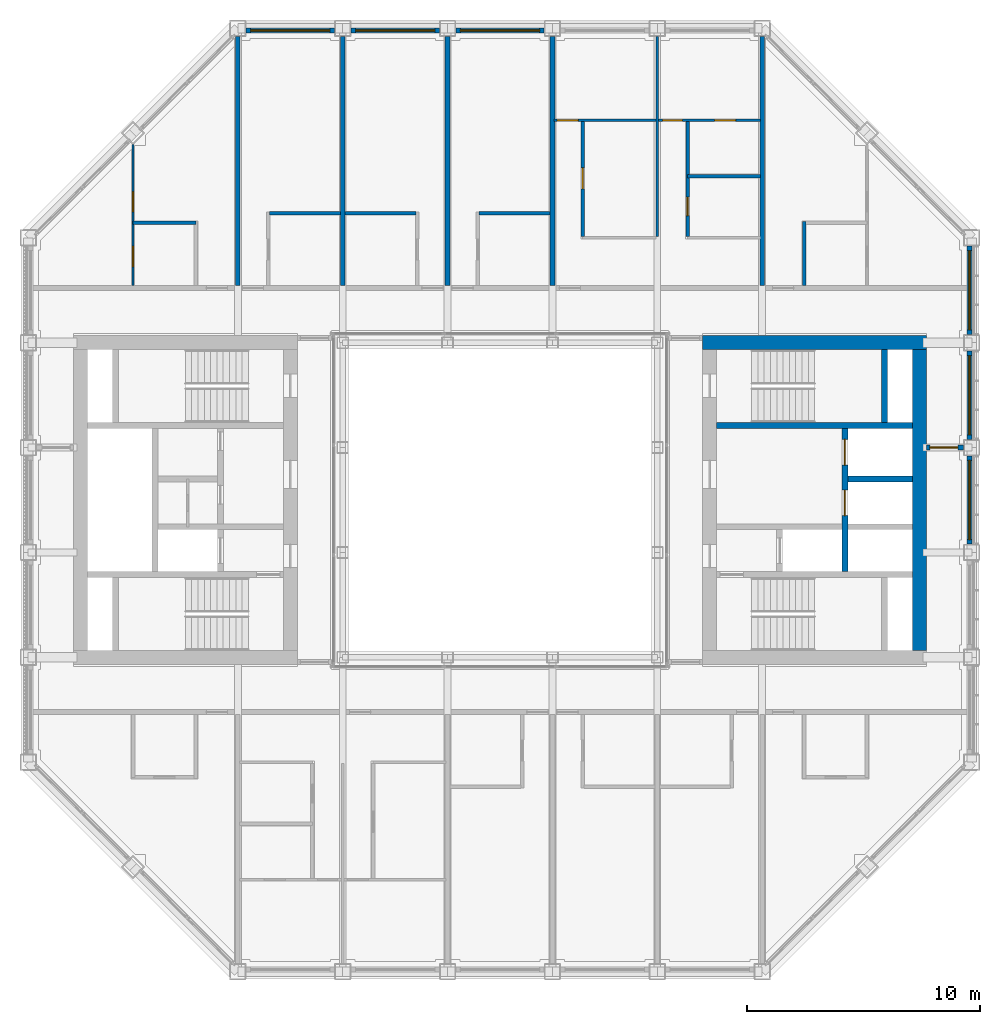
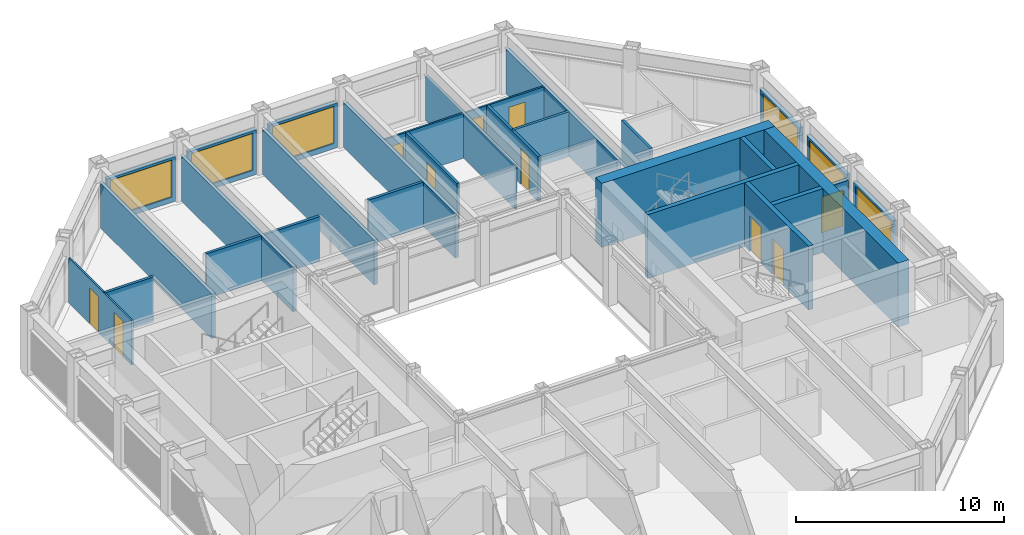
# One storey, part 12 of 18: 30 walls, 10 doors, 6 windows, 16 openings.
"""IFC4 building model written with IfcOpenShell, lengths in metres."""

from ifc_helpers import new_model, si_unit, direction, frame, frame_2d, origin, place, context, subcontext, project, spatial, rectangle, extrude, material, layer, layer_set, type_object, element, fill, save


model = new_model("IFC4")

# Units and contexts
model_context = context("Model", 3, precision=1e-05, world=origin(), true_north=direction((0.0, 1.0)))
body_context = subcontext(model_context, "Body", "Model", "MODEL_VIEW")
ifc_project = project(units=[si_unit("LENGTHUNIT", "METRE"), si_unit("AREAUNIT", "SQUARE_METRE"), si_unit("VOLUMEUNIT", "CUBIC_METRE"), si_unit("PLANEANGLEUNIT", "RADIAN"), si_unit("MASSUNIT", "GRAM", prefix="KILO")], contexts=[model_context])

# Site, building, storey
site_placement = place(None, origin())
site = spatial("IfcSite", under=ifc_project, at=site_placement, CompositionType="ELEMENT")
building_placement = place(site_placement, origin())
building = spatial("IfcBuilding", under=site, at=building_placement, Name="Msasa Ring Tower", CompositionType="ELEMENT")
storey_placement = place(building_placement, frame((0.0, 0.0, 230.800048828125)))
storey = spatial("IfcBuildingStorey", under=building, at=storey_placement, Name="L60", CompositionType="ELEMENT", Elevation=230.800048828125)

# Walls
ifc_material_1 = material(Name="Concrete C60/75", Category="concrete")
ifc_layer_1 = layer(ifc_material_1, 0.60009765625)
ifc_layer_set_1 = layer_set([ifc_layer_1], Name="CW3 CORE WALL 600")
wall_type_1 = type_object("IfcWallType", Name="CW3 CORE WALL 600", PredefinedType="SHEAR", material=ifc_layer_set_1)
wall_1_placement = place(storey_placement, frame((8.699951171875, 6.75, 0.0), z_axis=(0.0, 0.0, 1.0), x_axis=(1.0, 0.0, 0.0)))
element("IfcWall", 1, at=wall_1_placement, inside=storey, type_object=wall_type_1, Name="E core wall N L60", PredefinedType="SHEAR", context=body_context, shape_type="SweptSolid", body=[
    extrude(rectangle(XDim=9.60009765625, YDim=0.60009765625, at=frame_2d((4.800048828125, 0.0))), origin(), (0.0, 0.0, 1.0), 3.75),
])
wall_2_placement = place(storey_placement, frame((18.0, -6.449951171875, 0.0), z_axis=(0.0, 0.0, 1.0), x_axis=(0.0, 1.0, 0.0)))
element("IfcWall", 2, at=wall_2_placement, inside=storey, type_object=wall_type_1, Name="E core wall E L60", PredefinedType="SHEAR", context=body_context, shape_type="SweptSolid", body=[
    extrude(rectangle(XDim=12.89990234375, YDim=0.60009765625, at=frame_2d((6.449951171875, 0.0))), origin(), (0.0, 0.0, 1.0), 3.75),
])
ifc_material_2 = material(Name="Concrete C60/75", Category="concrete")
ifc_layer_2 = layer(ifc_material_2, 0.25)
ifc_layer_set_2 = layer_set([ifc_layer_2], Name="CW4 CORE INNER WALL 250")
wall_type_2 = type_object("IfcWallType", Name="CW4 CORE INNER WALL 250", PredefinedType="SHEAR", material=ifc_layer_set_2)
wall_3_placement = place(storey_placement, frame((9.300048828125, 3.199951171875, 0.0), z_axis=(0.0, 0.0, 1.0), x_axis=(1.0, 0.0, 0.0)))
element("IfcWall", 3, at=wall_3_placement, inside=storey, type_object=wall_type_2, Name="E core wall STAIRB L60", PredefinedType="SHEAR", context=body_context, shape_type="SweptSolid", body=[
    extrude(rectangle(XDim=8.39990234375, YDim=0.25, at=frame_2d((4.199951171875, 0.0))), origin(), (0.0, 0.0, 1.0), 3.75),
])
wall_4_placement = place(storey_placement, frame((16.5, 3.324951171875, 0.0), z_axis=(0.0, 0.0, 1.0), x_axis=(0.0, 1.0, 0.0)))
element("IfcWall", 4, at=wall_4_placement, inside=storey, type_object=wall_type_2, Name="E core wall RISERB L60", PredefinedType="SHEAR", context=body_context, shape_type="SweptSolid", body=[
    extrude(rectangle(XDim=3.125, YDim=0.25, at=frame_2d((1.5625, 0.0))), origin(), (0.0, 0.0, 1.0), 3.75),
])

# Wall, openings, doors
wall_5_placement = place(storey_placement, frame((14.800048828125, -3.074951171875, 0.0), z_axis=(0.0, 0.0, 1.0), x_axis=(0.0, 1.0, 0.0)))
wall_5 = element("IfcWall", 5, at=wall_5_placement, inside=storey, type_object=wall_type_2, Name="E core wall SHAFT L60", PredefinedType="SHEAR", context=body_context, shape_type="SweptSolid", body=[
    extrude(rectangle(XDim=6.14990234375, YDim=0.25, at=frame_2d((3.074951171875, 0.0))), origin(), (0.0, 0.0, 1.0), 3.75),
])
opening_1_placement = place(wall_5_placement, frame((2.39990234375, 0.0, 0.0)))
opening_1 = element("IfcOpeningElement", 6, at=opening_1_placement, cuts=wall_5, Name="Opening LD1", PredefinedType="OPENING", context=body_context, shape_type="SweptSolid", body=[
    extrude(rectangle(XDim=1.10009765625, YDim=2.10009765625, at=frame_2d((0.550048828125, 1.050048828125))), frame((0.0, 0.135009765625, 0.0), z_axis=(0.0, -1.0, 0.0), x_axis=(1.0, 0.0, 0.0)), (0.0, 0.0, 1.0), 0.27001953125),
])
opening_2_placement = place(wall_5_placement, frame((4.574951171875, 0.0, 0.0)))
opening_2 = element("IfcOpeningElement", 7, at=opening_2_placement, cuts=wall_5, Name="Opening LD1", PredefinedType="OPENING", context=body_context, shape_type="SweptSolid", body=[
    extrude(rectangle(XDim=1.10009765625, YDim=2.10009765625, at=frame_2d((0.550048828125, 1.050048828125))), frame((0.0, 0.135009765625, 0.0), z_axis=(0.0, -1.0, 0.0), x_axis=(1.0, 0.0, 0.0)), (0.0, 0.0, 1.0), 0.27001953125),
])
ifc_material_3 = material(Name="Stainless steel lift landing door", Category="steel")
door_type_1 = type_object("IfcDoorType", Name="LD1 LIFT LANDING DOOR 1100x2100", OperationType="DOUBLE_DOOR_SLIDING", PredefinedType="DOOR", material=ifc_material_3)
door_1_placement = place(opening_1_placement, origin())
door_1 = element("IfcDoor", 8, at=door_1_placement, inside=storey, type_object=door_type_1, Name="Lift landing door PL-H1 L60", OperationType="DOUBLE_DOOR_SLIDING", OverallHeight=2.10009765625, OverallWidth=1.10009765625, PredefinedType="DOOR", context=body_context, shape_type="SweptSolid", body=[
    extrude(rectangle(XDim=1.10009765625, YDim=2.10009765625, at=frame_2d((0.550048828125, 1.050048828125))), frame((0.0, 0.02490234375, 0.0), z_axis=(0.0, -1.0, 0.0), x_axis=(1.0, 0.0, 0.0)), (0.0, 0.0, 1.0), 0.050048828125),
])
fill(opening_1, door_1)
door_2_placement = place(opening_2_placement, origin())
door_2 = element("IfcDoor", 9, at=door_2_placement, inside=storey, type_object=door_type_1, Name="Lift landing door PL-H2 L60", OperationType="DOUBLE_DOOR_SLIDING", OverallHeight=2.10009765625, OverallWidth=1.10009765625, PredefinedType="DOOR", context=body_context, shape_type="SweptSolid", body=[
    extrude(rectangle(XDim=1.10009765625, YDim=2.10009765625, at=frame_2d((0.550048828125, 1.050048828125))), frame((0.0, 0.02490234375, 0.0), z_axis=(0.0, -1.0, 0.0), x_axis=(1.0, 0.0, 0.0)), (0.0, 0.0, 1.0), 0.050048828125),
])
fill(opening_2, door_2)

# Wall
wall_6_placement = place(storey_placement, frame((14.925048828125, 0.89990234375, 0.0), z_axis=(0.0, 0.0, 1.0), x_axis=(1.0, 0.0, 0.0)))
element("IfcWall", 10, at=wall_6_placement, inside=storey, type_object=wall_type_2, Name="E core wall HLIFT L60", PredefinedType="SHEAR", context=body_context, shape_type="SweptSolid", body=[
    extrude(rectangle(XDim=2.77490234375, YDim=0.25, at=frame_2d((1.387451171875, 0.0))), origin(), (0.0, 0.0, 1.0), 3.75),
])

# Wall, opening, window
ifc_material_4 = material(Name="Terracotta rainscreen on blockwork", Category="masonry")
ifc_layer_3 = layer(ifc_material_4, 0.199951171875)
ifc_layer_set_3 = layer_set([ifc_layer_3], Name="FW1 TERRACOTTA-LINED INFILL BAY WALL 200")
wall_type_3 = type_object("IfcWallType", Name="FW1 TERRACOTTA-LINED INFILL BAY WALL 200", PredefinedType="SOLIDWALL", material=ifc_layer_set_3)
wall_7_placement = place(storey_placement, frame((20.14990234375, -1.89501953125, 0.0), z_axis=(0.0, 0.0, 1.0), x_axis=(0.0, 1.0, 0.0)))
wall_7 = element("IfcWall", 11, at=wall_7_placement, inside=storey, type_object=wall_type_3, Name="Infill bay wall E L60 09", PredefinedType="SOLIDWALL", context=body_context, shape_type="SweptSolid", body=[
    extrude(rectangle(XDim=3.7900390625, YDim=0.199951171875, at=frame_2d((1.89501953125, 0.0))), origin(), (0.0, 0.0, 1.0), 2.62890625),
])
opening_3_placement = place(wall_7_placement, frame((0.195068359375, 0.0, 0.300048828125)))
opening_3 = element("IfcOpeningElement", 12, at=opening_3_placement, cuts=wall_7, Name="Opening WN3", PredefinedType="OPENING", context=body_context, shape_type="SweptSolid", body=[
    extrude(rectangle(XDim=3.39990234375, YDim=2.178955078125, at=frame_2d((1.699951171875, 1.08935546875))), frame((0.0, 0.10986328125, 0.0), z_axis=(0.0, -1.0, 0.0), x_axis=(1.0, 0.0, 0.0)), (0.0, 0.0, 1.0), 0.219970703125),
])
ifc_material_5 = material(Name="Aluminium frame with clear glass", Category="aluminium")
window_type = type_object("IfcWindowType", Name="WN3 SUITE WINDOW 3400x2179", PartitioningType="SINGLE_PANEL", PredefinedType="WINDOW", material=ifc_material_5)
window_1_placement = place(opening_3_placement, origin())
window_1 = element("IfcWindow", 13, at=window_1_placement, inside=storey, type_object=window_type, Name="Window E L60 09", OverallHeight=2.178955078125, OverallWidth=3.39990234375, PartitioningType="SINGLE_PANEL", PredefinedType="WINDOW", context=body_context, shape_type="SweptSolid", body=[
    extrude(rectangle(XDim=3.39990234375, YDim=2.178955078125, at=frame_2d((1.699951171875, 1.08935546875))), frame((0.0, 0.030029296875, 0.0), z_axis=(0.0, -1.0, 0.0), x_axis=(1.0, 0.0, 0.0)), (0.0, 0.0, 1.0), 0.06005859375),
])
fill(opening_3, window_1)

wall_8_placement = place(storey_placement, frame((20.14990234375, 2.60498046875, 0.0), z_axis=(0.0, 0.0, 1.0), x_axis=(0.0, 1.0, 0.0)))
wall_8 = element("IfcWall", 14, at=wall_8_placement, inside=storey, type_object=wall_type_3, Name="Infill bay wall E L60 10", PredefinedType="SOLIDWALL", context=body_context, shape_type="SweptSolid", body=[
    extrude(rectangle(XDim=3.7900390625, YDim=0.199951171875, at=frame_2d((1.89501953125, 0.0))), origin(), (0.0, 0.0, 1.0), 2.62890625),
])
opening_4_placement = place(wall_8_placement, frame((0.195068359375, 0.0, 0.300048828125)))
opening_4 = element("IfcOpeningElement", 15, at=opening_4_placement, cuts=wall_8, Name="Opening WN3", PredefinedType="OPENING", context=body_context, shape_type="SweptSolid", body=[
    extrude(rectangle(XDim=3.39990234375, YDim=2.178955078125, at=frame_2d((1.699951171875, 1.08935546875))), frame((0.0, 0.10986328125, 0.0), z_axis=(0.0, -1.0, 0.0), x_axis=(1.0, 0.0, 0.0)), (0.0, 0.0, 1.0), 0.219970703125),
])
window_2_placement = place(opening_4_placement, origin())
window_2 = element("IfcWindow", 16, at=window_2_placement, inside=storey, type_object=window_type, Name="Window E L60 10", OverallHeight=2.178955078125, OverallWidth=3.39990234375, PartitioningType="SINGLE_PANEL", PredefinedType="WINDOW", context=body_context, shape_type="SweptSolid", body=[
    extrude(rectangle(XDim=3.39990234375, YDim=2.178955078125, at=frame_2d((1.699951171875, 1.08935546875))), frame((0.0, 0.030029296875, 0.0), z_axis=(0.0, -1.0, 0.0), x_axis=(1.0, 0.0, 0.0)), (0.0, 0.0, 1.0), 0.06005859375),
])
fill(opening_4, window_2)

wall_9_placement = place(storey_placement, frame((20.14990234375, 7.10498046875, 0.0), z_axis=(0.0, 0.0, 1.0), x_axis=(0.0, 1.0, 0.0)))
wall_9 = element("IfcWall", 17, at=wall_9_placement, inside=storey, type_object=wall_type_3, Name="Infill bay wall E L60 11", PredefinedType="SOLIDWALL", context=body_context, shape_type="SweptSolid", body=[
    extrude(rectangle(XDim=3.7900390625, YDim=0.199951171875, at=frame_2d((1.89501953125, 0.0))), origin(), (0.0, 0.0, 1.0), 2.62890625),
])
opening_5_placement = place(wall_9_placement, frame((0.195068359375, 0.0, 0.300048828125)))
opening_5 = element("IfcOpeningElement", 18, at=opening_5_placement, cuts=wall_9, Name="Opening WN3", PredefinedType="OPENING", context=body_context, shape_type="SweptSolid", body=[
    extrude(rectangle(XDim=3.39990234375, YDim=2.178955078125, at=frame_2d((1.699951171875, 1.08935546875))), frame((0.0, 0.10986328125, 0.0), z_axis=(0.0, -1.0, 0.0), x_axis=(1.0, 0.0, 0.0)), (0.0, 0.0, 1.0), 0.219970703125),
])
window_3_placement = place(opening_5_placement, origin())
window_3 = element("IfcWindow", 19, at=window_3_placement, inside=storey, type_object=window_type, Name="Window E L60 11", OverallHeight=2.178955078125, OverallWidth=3.39990234375, PartitioningType="SINGLE_PANEL", PredefinedType="WINDOW", context=body_context, shape_type="SweptSolid", body=[
    extrude(rectangle(XDim=3.39990234375, YDim=2.178955078125, at=frame_2d((1.699951171875, 1.08935546875))), frame((0.0, 0.030029296875, 0.0), z_axis=(0.0, -1.0, 0.0), x_axis=(1.0, 0.0, 0.0)), (0.0, 0.0, 1.0), 0.06005859375),
])
fill(opening_5, window_3)

wall_10_placement = place(storey_placement, frame((-10.89501953125, 20.14990234375, 0.0), z_axis=(0.0, 0.0, 1.0), x_axis=(1.0, 0.0, 0.0)))
wall_10 = element("IfcWall", 20, at=wall_10_placement, inside=storey, type_object=wall_type_3, Name="Infill bay wall N L60 14", PredefinedType="SOLIDWALL", context=body_context, shape_type="SweptSolid", body=[
    extrude(rectangle(XDim=3.7900390625, YDim=0.199951171875, at=frame_2d((1.89501953125, 0.0))), origin(), (0.0, 0.0, 1.0), 2.62890625),
])
opening_6_placement = place(wall_10_placement, frame((0.195068359375, 0.0, 0.300048828125)))
opening_6 = element("IfcOpeningElement", 21, at=opening_6_placement, cuts=wall_10, Name="Opening WN3", PredefinedType="OPENING", context=body_context, shape_type="SweptSolid", body=[
    extrude(rectangle(XDim=3.39990234375, YDim=2.178955078125, at=frame_2d((1.699951171875, 1.08935546875))), frame((0.0, 0.10986328125, 0.0), z_axis=(0.0, -1.0, 0.0), x_axis=(1.0, 0.0, 0.0)), (0.0, 0.0, 1.0), 0.219970703125),
])
window_4_placement = place(opening_6_placement, origin())
window_4 = element("IfcWindow", 22, at=window_4_placement, inside=storey, type_object=window_type, Name="Window N L60 14", OverallHeight=2.178955078125, OverallWidth=3.39990234375, PartitioningType="SINGLE_PANEL", PredefinedType="WINDOW", context=body_context, shape_type="SweptSolid", body=[
    extrude(rectangle(XDim=3.39990234375, YDim=2.178955078125, at=frame_2d((1.699951171875, 1.08935546875))), frame((0.0, 0.030029296875, 0.0), z_axis=(0.0, -1.0, 0.0), x_axis=(1.0, 0.0, 0.0)), (0.0, 0.0, 1.0), 0.06005859375),
])
fill(opening_6, window_4)

wall_11_placement = place(storey_placement, frame((-6.39501953125, 20.14990234375, 0.0), z_axis=(0.0, 0.0, 1.0), x_axis=(1.0, 0.0, 0.0)))
wall_11 = element("IfcWall", 23, at=wall_11_placement, inside=storey, type_object=wall_type_3, Name="Infill bay wall N L60 15", PredefinedType="SOLIDWALL", context=body_context, shape_type="SweptSolid", body=[
    extrude(rectangle(XDim=3.7900390625, YDim=0.199951171875, at=frame_2d((1.89501953125, 0.0))), origin(), (0.0, 0.0, 1.0), 2.62890625),
])
opening_7_placement = place(wall_11_placement, frame((0.195068359375, 0.0, 0.300048828125)))
opening_7 = element("IfcOpeningElement", 24, at=opening_7_placement, cuts=wall_11, Name="Opening WN3", PredefinedType="OPENING", context=body_context, shape_type="SweptSolid", body=[
    extrude(rectangle(XDim=3.39990234375, YDim=2.178955078125, at=frame_2d((1.699951171875, 1.08935546875))), frame((0.0, 0.10986328125, 0.0), z_axis=(0.0, -1.0, 0.0), x_axis=(1.0, 0.0, 0.0)), (0.0, 0.0, 1.0), 0.219970703125),
])
window_5_placement = place(opening_7_placement, origin())
window_5 = element("IfcWindow", 25, at=window_5_placement, inside=storey, type_object=window_type, Name="Window N L60 15", OverallHeight=2.178955078125, OverallWidth=3.39990234375, PartitioningType="SINGLE_PANEL", PredefinedType="WINDOW", context=body_context, shape_type="SweptSolid", body=[
    extrude(rectangle(XDim=3.39990234375, YDim=2.178955078125, at=frame_2d((1.699951171875, 1.08935546875))), frame((0.0, 0.030029296875, 0.0), z_axis=(0.0, -1.0, 0.0), x_axis=(1.0, 0.0, 0.0)), (0.0, 0.0, 1.0), 0.06005859375),
])
fill(opening_7, window_5)

wall_12_placement = place(storey_placement, frame((-1.89501953125, 20.14990234375, 0.0), z_axis=(0.0, 0.0, 1.0), x_axis=(1.0, 0.0, 0.0)))
wall_12 = element("IfcWall", 26, at=wall_12_placement, inside=storey, type_object=wall_type_3, Name="Infill bay wall N L60 16", PredefinedType="SOLIDWALL", context=body_context, shape_type="SweptSolid", body=[
    extrude(rectangle(XDim=3.7900390625, YDim=0.199951171875, at=frame_2d((1.89501953125, 0.0))), origin(), (0.0, 0.0, 1.0), 2.62890625),
])
opening_8_placement = place(wall_12_placement, frame((0.195068359375, 0.0, 0.300048828125)))
opening_8 = element("IfcOpeningElement", 27, at=opening_8_placement, cuts=wall_12, Name="Opening WN3", PredefinedType="OPENING", context=body_context, shape_type="SweptSolid", body=[
    extrude(rectangle(XDim=3.39990234375, YDim=2.178955078125, at=frame_2d((1.699951171875, 1.08935546875))), frame((0.0, 0.10986328125, 0.0), z_axis=(0.0, -1.0, 0.0), x_axis=(1.0, 0.0, 0.0)), (0.0, 0.0, 1.0), 0.219970703125),
])
window_6_placement = place(opening_8_placement, origin())
window_6 = element("IfcWindow", 28, at=window_6_placement, inside=storey, type_object=window_type, Name="Window N L60 16", OverallHeight=2.178955078125, OverallWidth=3.39990234375, PartitioningType="SINGLE_PANEL", PredefinedType="WINDOW", context=body_context, shape_type="SweptSolid", body=[
    extrude(rectangle(XDim=3.39990234375, YDim=2.178955078125, at=frame_2d((1.699951171875, 1.08935546875))), frame((0.0, 0.030029296875, 0.0), z_axis=(0.0, -1.0, 0.0), x_axis=(1.0, 0.0, 0.0)), (0.0, 0.0, 1.0), 0.06005859375),
])
fill(opening_8, window_6)

# Wall, opening, door
ifc_material_6 = material(Name="Concrete blockwork", Category="masonry")
ifc_layer_4 = layer(ifc_material_6, 0.199951171875)
ifc_layer_set_4 = layer_set([ifc_layer_4], Name="PT1 CORRIDOR WALL 200")
wall_type_4 = type_object("IfcWallType", Name="PT1 CORRIDOR WALL 200", PredefinedType="PARTITIONING", material=ifc_layer_set_4)
wall_13_placement = place(storey_placement, frame((18.300048828125, 2.25, 0.0), z_axis=(0.0, 0.0, 1.0), x_axis=(1.0, 0.0, 0.0)))
wall_13 = element("IfcWall", 29, at=wall_13_placement, inside=storey, type_object=wall_type_4, Name="Corridor wall L60-WSE", PredefinedType="PARTITIONING", context=body_context, shape_type="SweptSolid", body=[
    extrude(rectangle(XDim=1.599853515625, YDim=0.199951171875, at=frame_2d((0.7998046875, 0.0))), origin(), (0.0, 0.0, 1.0), 2.62890625),
])
opening_9_placement = place(wall_13_placement, frame((0.14990234375, 0.0, 0.0)))
opening_9 = element("IfcOpeningElement", 30, at=opening_9_placement, cuts=wall_13, Name="Opening SC-025", PredefinedType="OPENING", context=body_context, shape_type="SweptSolid", body=[
    extrude(rectangle(XDim=1.199951171875, YDim=2.10009765625, at=frame_2d((0.60009765625, 1.050048828125))), frame((0.0, 0.10986328125, 0.0), z_axis=(0.0, -1.0, 0.0), x_axis=(1.0, 0.0, 0.0)), (0.0, 0.0, 1.0), 0.219970703125),
])
ifc_material_7 = material(Name="Timber door leaf in a steel frame", Category="steel")
door_type_2 = type_object("IfcDoorType", Name="D25 CORRIDOR PAIR OF SMOKE DOORS 1200x2100", OperationType="DOUBLE_DOOR_DOUBLE_SWING", PredefinedType="DOOR", material=ifc_material_7)
door_3_placement = place(opening_9_placement, origin())
door_3 = element("IfcDoor", 31, at=door_3_placement, inside=storey, type_object=door_type_2, Name="Door L60-WSE", OperationType="DOUBLE_DOOR_DOUBLE_SWING", OverallHeight=2.10009765625, OverallWidth=1.199951171875, PredefinedType="DOOR", context=body_context, shape_type="SweptSolid", body=[
    extrude(rectangle(XDim=1.199951171875, YDim=2.10009765625, at=frame_2d((0.60009765625, 1.050048828125))), frame((0.0, 0.02490234375, 0.0), z_axis=(0.0, -1.0, 0.0), x_axis=(1.0, 0.0, 0.0)), (0.0, 0.0, 1.0), 0.050048828125),
])
fill(opening_9, door_3)

ifc_material_8 = material(Name="Gypsum board on steel studs", Category="steel")
ifc_layer_5 = layer(ifc_material_8, 0.10009765625)
ifc_layer_set_5 = layer_set([ifc_layer_5], Name="PT2 STUD PARTITION 100")
wall_type_5 = type_object("IfcWallType", Name="PT2 STUD PARTITION 100", PredefinedType="PARTITIONING", material=ifc_layer_set_5)
wall_14_placement = place(storey_placement, frame((2.31005859375, 16.300048828125, 0.0), z_axis=(0.0, 0.0, 1.0), x_axis=(1.0, 0.0, 0.0)))
wall_14 = element("IfcWall", 32, at=wall_14_placement, inside=storey, type_object=wall_type_5, Name="Partition L60-JN03SY0", PredefinedType="PARTITIONING", context=body_context, shape_type="SweptSolid", body=[
    extrude(rectangle(XDim=4.389892578125, YDim=0.10009765625, at=frame_2d((2.19482421875, 0.0))), origin(), (0.0, 0.0, 1.0), 2.62890625),
])
opening_10_placement = place(wall_14_placement, frame((0.139892578125, 0.0, 0.0)))
opening_10 = element("IfcOpeningElement", 33, at=opening_10_placement, cuts=wall_14, Name="Opening SC-001", PredefinedType="OPENING", context=body_context, shape_type="SweptSolid", body=[
    extrude(rectangle(XDim=0.89990234375, YDim=2.10009765625, at=frame_2d((0.449951171875, 1.050048828125))), frame((0.0, 0.06005859375, 0.0), z_axis=(0.0, -1.0, 0.0), x_axis=(1.0, 0.0, 0.0)), (0.0, 0.0, 1.0), 0.1201171875),
])
ifc_material_9 = material(Name="Timber door leaf in a steel frame", Category="steel")
door_type_3 = type_object("IfcDoorType", Name="D22 INTERNAL HALL DOOR 900x2100", OperationType="SINGLE_SWING_LEFT", PredefinedType="DOOR", material=ifc_material_9)
door_4_placement = place(opening_10_placement, origin())
door_4 = element("IfcDoor", 34, at=door_4_placement, inside=storey, type_object=door_type_3, Name="Door L60-JN03L", OperationType="SINGLE_SWING_LEFT", OverallHeight=2.10009765625, OverallWidth=0.89990234375, PredefinedType="DOOR", context=body_context, shape_type="SweptSolid", body=[
    extrude(rectangle(XDim=0.89990234375, YDim=2.10009765625, at=frame_2d((0.449951171875, 1.050048828125))), frame((0.0, 0.02490234375, 0.0), z_axis=(0.0, -1.0, 0.0), x_axis=(1.0, 0.0, 0.0)), (0.0, 0.0, 1.0), 0.050048828125),
])
fill(opening_10, door_4)

# Wall
wall_15_placement = place(storey_placement, frame((6.75, 11.300048828125, 0.0), z_axis=(0.0, 0.0, 1.0), x_axis=(0.0, 1.0, 0.0)))
element("IfcWall", 35, at=wall_15_placement, inside=storey, type_object=wall_type_5, Name="Partition L60-JN03P1", PredefinedType="PARTITIONING", context=body_context, shape_type="SweptSolid", body=[
    extrude(rectangle(XDim=8.599853515625, YDim=0.10009765625, at=frame_2d((4.2998046875, 0.0))), origin(), (0.0, 0.0, 1.0), 2.62890625),
])

# Wall, openings, doors
wall_16_placement = place(storey_placement, frame((6.800048828125, 16.300048828125, 0.0), z_axis=(0.0, 0.0, 1.0), x_axis=(1.0, 0.0, 0.0)))
wall_16 = element("IfcWall", 36, at=wall_16_placement, inside=storey, type_object=wall_type_5, Name="Partition L60-JN03SY1", PredefinedType="PARTITIONING", context=body_context, shape_type="SweptSolid", body=[
    extrude(rectangle(XDim=4.389892578125, YDim=0.10009765625, at=frame_2d((2.19482421875, 0.0))), origin(), (0.0, 0.0, 1.0), 2.62890625),
])
opening_11_placement = place(wall_16_placement, frame((0.175048828125, 0.0, 0.0)))
opening_11 = element("IfcOpeningElement", 37, at=opening_11_placement, cuts=wall_16, Name="Opening SC-002", PredefinedType="OPENING", context=body_context, shape_type="SweptSolid", body=[
    extrude(rectangle(XDim=0.85009765625, YDim=2.10009765625, at=frame_2d((0.425048828125, 1.050048828125))), frame((0.0, 0.06005859375, 0.0), z_axis=(0.0, -1.0, 0.0), x_axis=(1.0, 0.0, 0.0)), (0.0, 0.0, 1.0), 0.1201171875),
])
opening_12_placement = place(wall_16_placement, frame((2.409912109375, 0.0, 0.0)))
opening_12 = element("IfcOpeningElement", 38, at=opening_12_placement, cuts=wall_16, Name="Opening SC-003", PredefinedType="OPENING", context=body_context, shape_type="SweptSolid", body=[
    extrude(rectangle(XDim=0.89990234375, YDim=2.10009765625, at=frame_2d((0.449951171875, 1.050048828125))), frame((0.0, 0.06005859375, 0.0), z_axis=(0.0, -1.0, 0.0), x_axis=(1.0, 0.0, 0.0)), (0.0, 0.0, 1.0), 0.1201171875),
])
ifc_material_10 = material(Name="Timber door leaf in a steel frame", Category="steel")
door_type_4 = type_object("IfcDoorType", Name="D14 BEDROOM DOOR 850x2100", OperationType="SINGLE_SWING_LEFT", PredefinedType="DOOR", material=ifc_material_10)
door_5_placement = place(opening_11_placement, origin())
door_5 = element("IfcDoor", 39, at=door_5_placement, inside=storey, type_object=door_type_4, Name="Door L60-JN03R1", OperationType="SINGLE_SWING_LEFT", OverallHeight=2.10009765625, OverallWidth=0.85009765625, PredefinedType="DOOR", context=body_context, shape_type="SweptSolid", body=[
    extrude(rectangle(XDim=0.85009765625, YDim=2.10009765625, at=frame_2d((0.425048828125, 1.050048828125))), frame((0.0, 0.02490234375, 0.0), z_axis=(0.0, -1.0, 0.0), x_axis=(1.0, 0.0, 0.0)), (0.0, 0.0, 1.0), 0.050048828125),
])
fill(opening_11, door_5)
ifc_material_11 = material(Name="Timber door leaf in a steel frame", Category="steel")
door_type_5 = type_object("IfcDoorType", Name="D3 BATHROOM DOOR 900x2100", OperationType="SINGLE_SWING_LEFT", PredefinedType="DOOR", material=ifc_material_11)
door_6_placement = place(opening_12_placement, origin())
door_6 = element("IfcDoor", 40, at=door_6_placement, inside=storey, type_object=door_type_5, Name="Door L60-JN03B1", OperationType="SINGLE_SWING_RIGHT", OverallHeight=2.10009765625, OverallWidth=0.89990234375, PredefinedType="DOOR", context=body_context, shape_type="SweptSolid", body=[
    extrude(rectangle(XDim=0.89990234375, YDim=2.10009765625, at=frame_2d((0.449951171875, 1.050048828125))), frame((0.0, 0.02490234375, 0.0), z_axis=(0.0, -1.0, 0.0), x_axis=(1.0, 0.0, 0.0)), (0.0, 0.0, 1.0), 0.050048828125),
])
fill(opening_12, door_6)

wall_17_placement = place(storey_placement, frame((-15.75, 9.199951171875, 0.0), z_axis=(0.0, 0.0, 1.0), x_axis=(0.0, 1.0, 0.0)))
wall_17 = element("IfcWall", 41, at=wall_17_placement, inside=storey, type_object=wall_type_5, Name="Partition L60-CSNWP1", PredefinedType="PARTITIONING", context=body_context, shape_type="SweptSolid", body=[
    extrude(rectangle(XDim=6.054931640625, YDim=0.10009765625, at=frame_2d((3.02734375, 0.0))), origin(), (0.0, 0.0, 1.0), 2.62890625),
])
opening_13_placement = place(wall_17_placement, frame((3.175048828125, 0.0, 0.0)))
opening_13 = element("IfcOpeningElement", 42, at=opening_13_placement, cuts=wall_17, Name="Opening SC-005", PredefinedType="OPENING", context=body_context, shape_type="SweptSolid", body=[
    extrude(rectangle(XDim=0.85009765625, YDim=2.10009765625, at=frame_2d((0.425048828125, 1.050048828125))), frame((0.0, 0.06005859375, 0.0), z_axis=(0.0, -1.0, 0.0), x_axis=(1.0, 0.0, 0.0)), (0.0, 0.0, 1.0), 0.1201171875),
])
opening_14_placement = place(wall_17_placement, frame((0.800048828125, 0.0, 0.0)))
opening_14 = element("IfcOpeningElement", 43, at=opening_14_placement, cuts=wall_17, Name="Opening SC-011", PredefinedType="OPENING", context=body_context, shape_type="SweptSolid", body=[
    extrude(rectangle(XDim=0.89990234375, YDim=2.10009765625, at=frame_2d((0.449951171875, 1.050048828125))), frame((0.0, 0.06005859375, 0.0), z_axis=(0.0, -1.0, 0.0), x_axis=(1.0, 0.0, 0.0)), (0.0, 0.0, 1.0), 0.1201171875),
])
door_7_placement = place(opening_13_placement, origin())
door_7 = element("IfcDoor", 44, at=door_7_placement, inside=storey, type_object=door_type_4, Name="Door L60-CSNWR1", OperationType="SINGLE_SWING_RIGHT", OverallHeight=2.10009765625, OverallWidth=0.85009765625, PredefinedType="DOOR", context=body_context, shape_type="SweptSolid", body=[
    extrude(rectangle(XDim=0.85009765625, YDim=2.10009765625, at=frame_2d((0.425048828125, 1.050048828125))), frame((0.0, 0.02490234375, 0.0), z_axis=(0.0, -1.0, 0.0), x_axis=(1.0, 0.0, 0.0)), (0.0, 0.0, 1.0), 0.050048828125),
])
fill(opening_13, door_7)
door_8_placement = place(opening_14_placement, origin())
door_8 = element("IfcDoor", 45, at=door_8_placement, inside=storey, type_object=door_type_5, Name="Door L60-CSNWB1", OperationType="SINGLE_SWING_LEFT", OverallHeight=2.10009765625, OverallWidth=0.89990234375, PredefinedType="DOOR", context=body_context, shape_type="SweptSolid", body=[
    extrude(rectangle(XDim=0.89990234375, YDim=2.10009765625, at=frame_2d((0.449951171875, 1.050048828125))), frame((0.0, 0.02490234375, 0.0), z_axis=(0.0, -1.0, 0.0), x_axis=(1.0, 0.0, 0.0)), (0.0, 0.0, 1.0), 0.050048828125),
])
fill(opening_14, door_8)

# Walls
ifc_material_12 = material(Name="Dense concrete blockwork, plastered both faces", Category="masonry")
ifc_layer_6 = layer(ifc_material_12, 0.25)
ifc_layer_set_6 = layer_set([ifc_layer_6], Name="PT3 APARTMENT SEPARATING WALL 250")
wall_type_6 = type_object("IfcWallType", Name="PT3 APARTMENT SEPARATING WALL 250", PredefinedType="PARTITIONING", material=ifc_layer_set_6)
for number, where, z_axis, x_axis, name in (
    (46, (-11.25, 9.199951171875, 0.0), (0.0, 0.0, 1.0), (0.0, 1.0, 0.0), "Party wall L60-PWN-11.25"),
    (47, (-6.75, 9.199951171875, 0.0), (0.0, 0.0, 1.0), (0.0, 1.0, 0.0), "Party wall L60-PWN-6.75"),
    (48, (-2.25, 9.199951171875, 0.0), (0.0, 0.0, 1.0), (0.0, 1.0, 0.0), "Party wall L60-PWN-2.25"),
    (49, (2.25, 9.199951171875, 0.0), (0.0, 0.0, 1.0), (0.0, 1.0, 0.0), "Party wall L60-PWN+2.25"),
    (50, (11.25, 9.199951171875, 0.0), (0.0, 0.0, 1.0), (0.0, 1.0, 0.0), "Party wall L60-PWN+11.25"),
):
    element("IfcWall", number, at=place(storey_placement, frame(where, z_axis=z_axis, x_axis=x_axis)), inside=storey, type_object=wall_type_6, Name=name, PredefinedType="PARTITIONING", context=body_context, shape_type="SweptSolid", body=[
        extrude(rectangle(XDim=10.699951171875, YDim=0.199951171875, at=frame_2d((5.35009765625, 0.0))), origin(), (0.0, 0.0, 1.0), 2.62890625),
    ])
ifc_material_13 = material(Name="Moisture-resistant board on steel studs with a concealed cistern and pipe void, tiled", Category="steel")
ifc_layer_7 = layer(ifc_material_13, 0.14990234375)
ifc_layer_set_7 = layer_set([ifc_layer_7], Name="PT4 BATHROOM WET WALL 150")
wall_type_7 = type_object("IfcWallType", Name="PT4 BATHROOM WET WALL 150", PredefinedType="PARTITIONING", material=ifc_layer_set_7)
for number, where, z_axis, x_axis, name in (
    (51, (-9.89990234375, 12.300048828125, 0.0), (0.0, 0.0, 1.0), (1.0, 0.0, 0.0), "Partition L60-JN00BY"),
    (52, (-6.64990234375, 12.300048828125, 0.0), (0.0, 0.0, 1.0), (1.0, 0.0, 0.0), "Partition L60-JN01BY"),
    (53, (-0.89990234375, 12.300048828125, 0.0), (0.0, 0.0, 1.0), (1.0, 0.0, 0.0), "Partition L60-JN02BY"),
):
    element("IfcWall", number, at=place(storey_placement, frame(where, z_axis=z_axis, x_axis=x_axis)), inside=storey, type_object=wall_type_7, Name=name, PredefinedType="PARTITIONING", context=body_context, shape_type="SweptSolid", body=[
        extrude(rectangle(XDim=3.0498046875, YDim=0.14990234375, at=frame_2d((1.52490234375, 0.0))), origin(), (0.0, 0.0, 1.0), 2.62890625),
    ])

# Wall, opening, door
wall_18_placement = place(storey_placement, frame((3.550048828125, 11.300048828125, 0.0), z_axis=(0.0, 0.0, 1.0), x_axis=(0.0, 1.0, 0.0)))
wall_18 = element("IfcWall", 54, at=wall_18_placement, inside=storey, type_object=wall_type_7, Name="Partition L60-JN03SX0", PredefinedType="PARTITIONING", context=body_context, shape_type="SweptSolid", body=[
    extrude(rectangle(XDim=5.0, YDim=0.14990234375, at=frame_2d((2.5, 0.0))), origin(), (0.0, 0.0, 1.0), 2.62890625),
])
opening_15_placement = place(wall_18_placement, frame((2.050048828125, 0.0, 0.0)))
opening_15 = element("IfcOpeningElement", 55, at=opening_15_placement, cuts=wall_18, Name="Opening SC-004", PredefinedType="OPENING", context=body_context, shape_type="SweptSolid", body=[
    extrude(rectangle(XDim=0.89990234375, YDim=2.10009765625, at=frame_2d((0.449951171875, 1.050048828125))), frame((0.0, 0.0849609375, 0.0), z_axis=(0.0, -1.0, 0.0), x_axis=(1.0, 0.0, 0.0)), (0.0, 0.0, 1.0), 0.169921875),
])
door_9_placement = place(opening_15_placement, origin())
door_9 = element("IfcDoor", 56, at=door_9_placement, inside=storey, type_object=door_type_3, Name="Door L60-JN03K", OperationType="SINGLE_SWING_LEFT", OverallHeight=2.10009765625, OverallWidth=0.89990234375, PredefinedType="DOOR", context=body_context, shape_type="SweptSolid", body=[
    extrude(rectangle(XDim=0.89990234375, YDim=2.10009765625, at=frame_2d((0.449951171875, 1.050048828125))), frame((0.0, 0.02490234375, 0.0), z_axis=(0.0, -1.0, 0.0), x_axis=(1.0, 0.0, 0.0)), (0.0, 0.0, 1.0), 0.050048828125),
])
fill(opening_15, door_9)

wall_19_placement = place(storey_placement, frame((8.050048828125, 11.300048828125, 0.0), z_axis=(0.0, 0.0, 1.0), x_axis=(0.0, 1.0, 0.0)))
wall_19 = element("IfcWall", 57, at=wall_19_placement, inside=storey, type_object=wall_type_7, Name="Partition L60-JN03SX1", PredefinedType="PARTITIONING", context=body_context, shape_type="SweptSolid", body=[
    extrude(rectangle(XDim=5.0, YDim=0.14990234375, at=frame_2d((2.5, 0.0))), origin(), (0.0, 0.0, 1.0), 2.62890625),
])
opening_16_placement = place(wall_19_placement, frame((0.89990234375, 0.0, 0.0)))
opening_16 = element("IfcOpeningElement", 58, at=opening_16_placement, cuts=wall_19, Name="Opening SC-007", PredefinedType="OPENING", context=body_context, shape_type="SweptSolid", body=[
    extrude(rectangle(XDim=0.800048828125, YDim=2.10009765625, at=frame_2d((0.39990234375, 1.050048828125))), frame((0.0, 0.0849609375, 0.0), z_axis=(0.0, -1.0, 0.0), x_axis=(1.0, 0.0, 0.0)), (0.0, 0.0, 1.0), 0.169921875),
])
ifc_material_14 = material(Name="Timber door leaf in a steel frame", Category="steel")
door_type_6 = type_object("IfcDoorType", Name="D60 DRESSING ROOM DOOR 800x2100", OperationType="SINGLE_SWING_LEFT", PredefinedType="DOOR", material=ifc_material_14)
door_10_placement = place(opening_16_placement, origin())
door_10 = element("IfcDoor", 59, at=door_10_placement, inside=storey, type_object=door_type_6, Name="Door L60-JN03W1", OperationType="SINGLE_SWING_LEFT", OverallHeight=2.10009765625, OverallWidth=0.800048828125, PredefinedType="DOOR", context=body_context, shape_type="SweptSolid", body=[
    extrude(rectangle(XDim=0.800048828125, YDim=2.10009765625, at=frame_2d((0.39990234375, 1.050048828125))), frame((0.0, 0.02490234375, 0.0), z_axis=(0.0, -1.0, 0.0), x_axis=(1.0, 0.0, 0.0)), (0.0, 0.0, 1.0), 0.050048828125),
])
fill(opening_16, door_10)

# Walls
wall_20_placement = place(storey_placement, frame((8.050048828125, 13.89990234375, 0.0), z_axis=(0.0, 0.0, 1.0), x_axis=(1.0, 0.0, 0.0)))
element("IfcWall", 60, at=wall_20_placement, inside=storey, type_object=wall_type_7, Name="Partition L60-JN03SB1", PredefinedType="PARTITIONING", context=body_context, shape_type="SweptSolid", body=[
    extrude(rectangle(XDim=3.139892578125, YDim=0.14990234375, at=frame_2d((1.56982421875, 0.0))), origin(), (0.0, 0.0, 1.0), 2.62890625),
])
wall_21_placement = place(storey_placement, frame((13.050048828125, 9.199951171875, 0.0), z_axis=(0.0, 0.0, 1.0), x_axis=(0.0, 1.0, 0.0)))
element("IfcWall", 61, at=wall_21_placement, inside=storey, type_object=wall_type_7, Name="Partition L60-CSNEBX", PredefinedType="PARTITIONING", context=body_context, shape_type="SweptSolid", body=[
    extrude(rectangle(XDim=2.75, YDim=0.14990234375, at=frame_2d((1.375, 0.0))), origin(), (0.0, 0.0, 1.0), 2.62890625),
])
wall_22_placement = place(storey_placement, frame((-15.75, 11.89990234375, 0.0), z_axis=(0.0, 0.0, 1.0), x_axis=(1.0, 0.0, 0.0)))
element("IfcWall", 62, at=wall_22_placement, inside=storey, type_object=wall_type_7, Name="Partition L60-CSNWBY", PredefinedType="PARTITIONING", context=body_context, shape_type="SweptSolid", body=[
    extrude(rectangle(XDim=2.699951171875, YDim=0.14990234375, at=frame_2d((1.35009765625, 0.0))), origin(), (0.0, 0.0, 1.0), 2.62890625),
])

save(model, "model.ifc")
